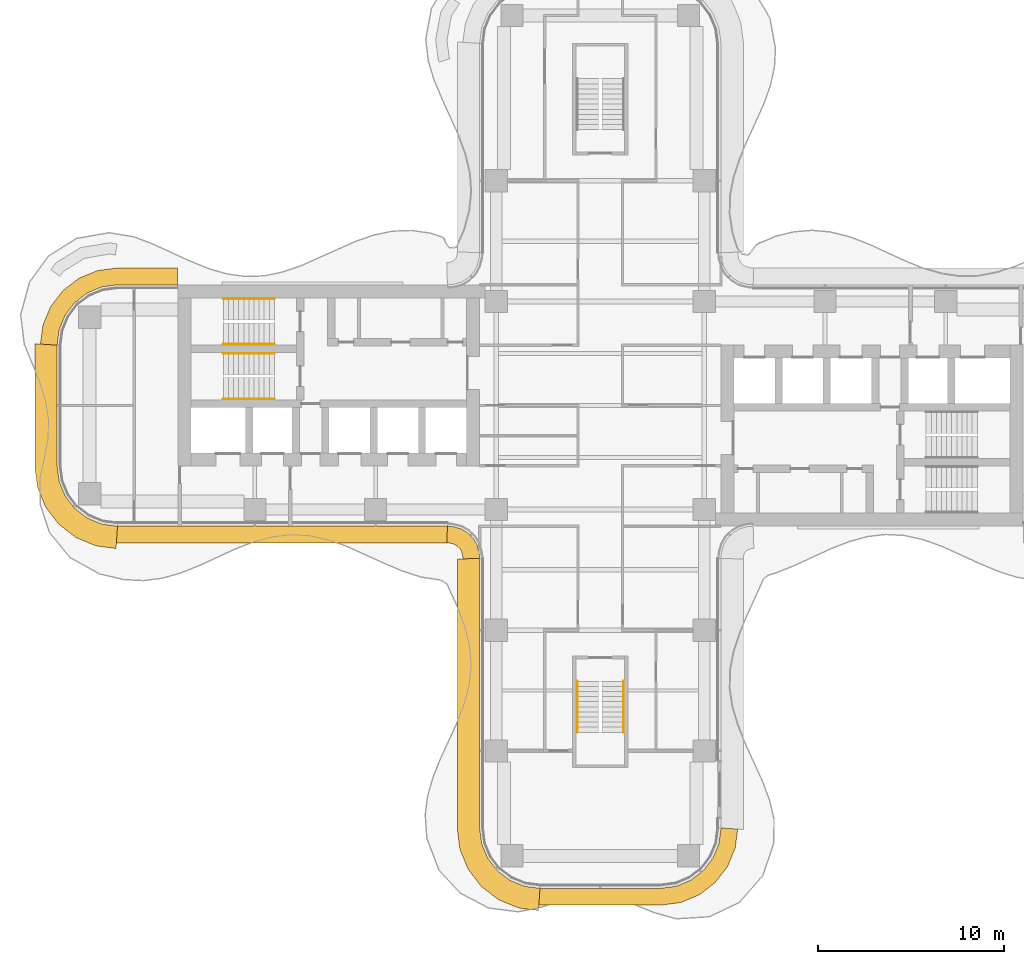
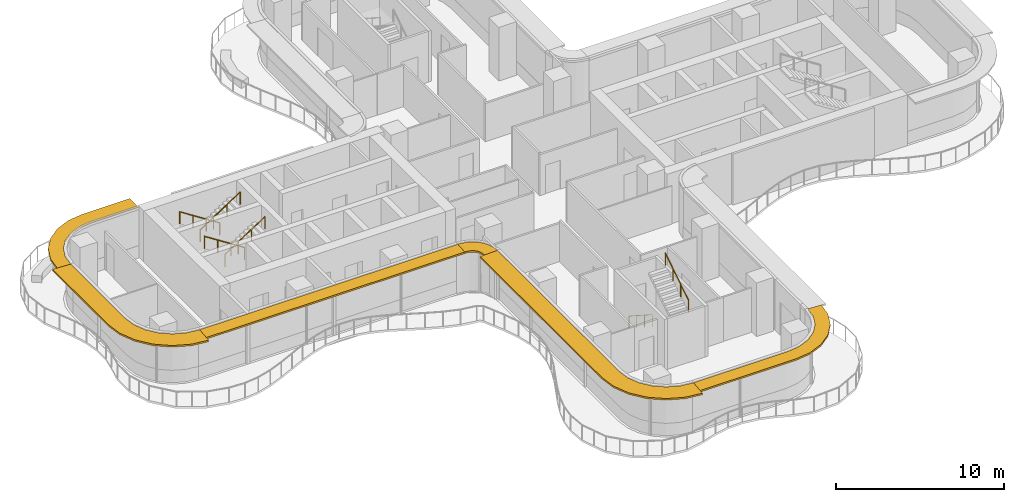
# One storey, part 17 of 18: 6 railings, 6 shading devices.
"""IFC4 building model written with IfcOpenShell, lengths in metres."""

from ifc_helpers import new_model, si_unit, direction, frame, origin, origin_2d, place, context, subcontext, project, spatial, polyline, circle, outline, extrude, source, transform, mapped, material, layer, layer_set, type_object, element, save


model = new_model("IFC4")

# Units and contexts
model_context = context("Model", 3, precision=1e-05, world=origin(), true_north=direction((0.0, 1.0)))
body_context = subcontext(model_context, "Body", "Model", "MODEL_VIEW")
ifc_project = project(units=[si_unit("LENGTHUNIT", "METRE"), si_unit("AREAUNIT", "SQUARE_METRE"), si_unit("VOLUMEUNIT", "CUBIC_METRE"), si_unit("PLANEANGLEUNIT", "RADIAN"), si_unit("MASSUNIT", "GRAM", prefix="KILO")], contexts=[model_context])

# Site, building, storey
site_placement = place(None, origin())
site = spatial("IfcSite", under=ifc_project, at=site_placement, CompositionType="ELEMENT")
building_placement = place(site_placement, origin())
building = spatial("IfcBuilding", under=site, at=building_placement, Name="Trellis Farm Tower", CompositionType="ELEMENT")
storey_placement = place(building_placement, frame((0.0, 0.0, 204.89990234375)))
storey = spatial("IfcBuildingStorey", under=building, at=storey_placement, Name="L45", CompositionType="ELEMENT", Elevation=204.89990234375)

# Railings
ifc_material_1 = material(Name="Stainless steel", Category="steel")
railing_type = type_object("IfcRailingType", Name="STAIR HANDRAIL 900", PredefinedType="HANDRAIL", material=ifc_material_1)
shared_shape_1 = source(origin(), body_context, "Body", "SweptSolid", [
    extrude(circle(Radius=0.02392578125, at=origin_2d()), frame((0.0, 0.0, 0.8759765625), z_axis=(0.0, 0.840503830235, 0.541805602924), x_axis=(-1.0, 0.0, 0.0)), (0.0, 0.0, 1.0), 3.271728515625),
    extrude(circle(Radius=0.02099609375, at=origin_2d()), origin(), (0.0, 0.0, 1.0), 0.851806640625),
    extrude(circle(Radius=0.02099609375, at=origin_2d()), frame((0.0, 0.916748046875, 0.5908203125)), (0.0, 0.0, 1.0), 0.851806640625),
    extrude(circle(Radius=0.02099609375, at=origin_2d()), frame((0.0, 1.833251953125, 1.181884765625)), (0.0, 0.0, 1.0), 0.851806640625),
    extrude(circle(Radius=0.02099609375, at=origin_2d()), frame((0.0, 2.75, 1.772705078125)), (0.0, 0.0, 1.0), 0.851806640625),
])
railing_1_placement = place(storey_placement, frame((1.25, -17.60009765625, 2.12744140625)))
element("IfcRailing", 1, at=railing_1_placement, inside=storey, type_object=railing_type, Name="Stair handrail", PredefinedType="HANDRAIL", context=body_context, shape_type="MappedRepresentation", body=[
    mapped(shared_shape_1, transform((0.0, 0.0, 0.0))),
])
shared_shape_2 = source(origin(), body_context, "Body", "SweptSolid", [
    extrude(circle(Radius=0.02392578125, at=origin_2d()), frame((0.0, 0.0, 0.8759765625), z_axis=(0.0, -0.840503830235, 0.541805602924), x_axis=(1.0, 0.0, 0.0)), (0.0, 0.0, 1.0), 3.271728515625),
    extrude(circle(Radius=0.02099609375, at=origin_2d()), origin(), (0.0, 0.0, 1.0), 0.851806640625),
    extrude(circle(Radius=0.02099609375, at=origin_2d()), frame((0.0, -0.916748046875, 0.5908203125)), (0.0, 0.0, 1.0), 0.851806640625),
    extrude(circle(Radius=0.02099609375, at=origin_2d()), frame((0.0, -1.833251953125, 1.181884765625)), (0.0, 0.0, 1.0), 0.851806640625),
    extrude(circle(Radius=0.02099609375, at=origin_2d()), frame((0.0, -2.75, 1.772705078125)), (0.0, 0.0, 1.0), 0.851806640625),
])
railing_2_placement = place(storey_placement, frame((-1.25, -14.85009765625, 0.177490234375)))
element("IfcRailing", 2, at=railing_2_placement, inside=storey, type_object=railing_type, Name="Stair handrail", PredefinedType="HANDRAIL", context=body_context, shape_type="MappedRepresentation", body=[
    mapped(shared_shape_2, transform((0.0, 0.0, 0.0))),
])
shared_shape_3 = source(origin(), body_context, "Body", "SweptSolid", [
    extrude(circle(Radius=0.02392578125, at=origin_2d()), frame((0.0, 0.0, 0.8759765625), z_axis=(0.840503830235, 0.0, 0.541805602924), x_axis=(0.0, 1.0, 0.0)), (0.0, 0.0, 1.0), 3.271728515625),
    extrude(circle(Radius=0.02099609375, at=origin_2d()), origin(), (0.0, 0.0, 1.0), 0.851806640625),
    extrude(circle(Radius=0.02099609375, at=origin_2d()), frame((0.916748046875, 0.0, 0.5908203125)), (0.0, 0.0, 1.0), 0.851806640625),
    extrude(circle(Radius=0.02099609375, at=origin_2d()), frame((1.833251953125, 0.0, 1.181884765625)), (0.0, 0.0, 1.0), 0.851806640625),
    extrude(circle(Radius=0.02099609375, at=origin_2d()), frame((2.75, 0.0, 1.772705078125)), (0.0, 0.0, 1.0), 0.851806640625),
])
for number, where, name in (
    (3, (-20.300048828125, 3.300048828125, 2.12744140625), "Stair handrail"),
    (4, (-20.300048828125, 0.35009765625, 2.12744140625), "Stair handrail"),
):
    element("IfcRailing", number, at=place(storey_placement, frame(where)), inside=storey, type_object=railing_type, Name=name, PredefinedType="HANDRAIL", context=body_context, shape_type="MappedRepresentation", body=[
        mapped(shared_shape_3, transform((0.0, 0.0, 0.0))),
    ])
shared_shape_4 = source(origin(), body_context, "Body", "SweptSolid", [
    extrude(circle(Radius=0.02392578125, at=origin_2d()), frame((0.0, 0.0, 0.8759765625), z_axis=(-0.840503830235, 0.0, 0.541805602924), x_axis=(0.0, -1.0, 0.0)), (0.0, 0.0, 1.0), 3.271728515625),
    extrude(circle(Radius=0.02099609375, at=origin_2d()), origin(), (0.0, 0.0, 1.0), 0.851806640625),
    extrude(circle(Radius=0.02099609375, at=origin_2d()), frame((-0.916748046875, 0.0, 0.5908203125)), (0.0, 0.0, 1.0), 0.851806640625),
    extrude(circle(Radius=0.02099609375, at=origin_2d()), frame((-1.833251953125, 0.0, 1.181884765625)), (0.0, 0.0, 1.0), 0.851806640625),
    extrude(circle(Radius=0.02099609375, at=origin_2d()), frame((-2.75, 0.0, 1.772705078125)), (0.0, 0.0, 1.0), 0.851806640625),
])
for number, where, name in (
    (5, (-17.550048828125, 5.75, 0.177490234375), "Stair handrail"),
    (6, (-17.550048828125, 2.800048828125, 0.177490234375), "Stair handrail"),
):
    element("IfcRailing", number, at=place(storey_placement, frame(where)), inside=storey, type_object=railing_type, Name=name, PredefinedType="HANDRAIL", context=body_context, shape_type="MappedRepresentation", body=[
        mapped(shared_shape_4, transform((0.0, 0.0, 0.0))),
    ])

# Shading devices
ifc_material_2 = material(Name="Aluminium extrusion 6063-T6", Category="aluminium")
ifc_layer_1 = layer(ifc_material_2, 0.1201171875)
ifc_layer_set_1 = layer_set([ifc_layer_1], Name="SUNSHADE BLADE 900")
shading_device_type_1 = type_object("IfcShadingDeviceType", Name="SUNSHADE BLADE 900", PredefinedType="USERDEFINED", material=ifc_layer_set_1)
shared_shape_5 = source(origin(), body_context, "Body", "SweptSolid", [
    extrude(outline(polyline([(-8.2607421875, -7.39990234375), (-8.107666015625, -7.409912109375), (-8.091552734375, -7.412109375), (-7.85595703125, -7.475341796875), (-7.697021484375, -7.567138671875), (-7.567138671875, -7.697021484375), (-7.475341796875, -7.85595703125), (-7.412109375, -8.091552734375), (-7.409912109375, -8.107666015625), (-7.39990234375, -8.2607421875), (-6.5, -8.2314453125), (-6.513916015625, -8.01953125), (-6.527587890625, -7.91552734375), (-6.63671875, -7.508544921875), (-6.846923828125, -7.144287109375), (-7.144287109375, -6.846923828125), (-7.508544921875, -6.63671875), (-7.91552734375, -6.527587890625), (-8.01953125, -6.513916015625), (-8.2314453125, -6.5), (-8.2607421875, -7.39990234375)])), origin(), (0.0, 0.0, 1.0), 0.1201171875),
])
placement = place(storey_placement, frame((0.0, 0.0, 3.5400390625)))
element("IfcShadingDevice", 7, at=placement, inside=storey, type_object=shading_device_type_1, Name="SD1 002", ObjectType="SUNSHADE", PredefinedType="USERDEFINED", context=body_context, shape_type="MappedRepresentation", body=[
    mapped(shared_shape_5, transform((0.0, 0.0, 0.0))),
])
ifc_layer_2 = layer(ifc_material_2, 0.1201171875)
ifc_layer_set_2 = layer_set([ifc_layer_2], Name="SUNSHADE BLADE 1200")
shading_device_type_2 = type_object("IfcShadingDeviceType", Name="SUNSHADE BLADE 1200", PredefinedType="USERDEFINED", material=ifc_layer_set_2)
shared_shape_6 = source(origin(), body_context, "Body", "SweptSolid", [
    extrude(outline(polyline([(-7.699951171875, -8.270751953125), (-7.699951171875, -22.82861328125), (-7.558349609375, -23.904541015625), (-7.11279296875, -24.980224609375), (-6.404052734375, -25.904052734375), (-5.480224609375, -26.61279296875), (-4.404541015625, -27.058349609375), (-3.32861328125, -27.199951171875), (-3.25, -26.0), (-4.091064453125, -25.88916015625), (-4.875, -25.564697265625), (-5.548095703125, -25.048095703125), (-6.064697265625, -24.375), (-6.38916015625, -23.591064453125), (-6.5, -22.75), (-6.5, -8.2314453125), (-7.699951171875, -8.270751953125)])), origin(), (0.0, 0.0, 1.0), 0.1201171875),
])
element("IfcShadingDevice", 8, at=placement, inside=storey, type_object=shading_device_type_2, Name="SD2 003", ObjectType="SUNSHADE", PredefinedType="USERDEFINED", context=body_context, shape_type="MappedRepresentation", body=[
    mapped(shared_shape_6, transform((0.0, 0.0, 0.0))),
])
shared_shape_7 = source(origin(), body_context, "Body", "SweptSolid", [
    extrude(outline(polyline([(-3.30908203125, -26.89990234375), (3.30908203125, -26.89990234375), (4.326171875, -26.76611328125), (5.328857421875, -26.350830078125), (6.18994140625, -25.68994140625), (6.850830078125, -24.828857421875), (7.26611328125, -23.826171875), (7.39990234375, -22.80908203125), (6.5, -22.75), (6.38916015625, -23.591064453125), (6.064697265625, -24.375), (5.548095703125, -25.048095703125), (4.875, -25.564697265625), (4.091064453125, -25.88916015625), (3.25, -26.0), (-3.25, -26.0), (-3.30908203125, -26.89990234375)])), origin(), (0.0, 0.0, 1.0), 0.1201171875),
])
element("IfcShadingDevice", 9, at=placement, inside=storey, type_object=shading_device_type_1, Name="SD1 004", ObjectType="SUNSHADE", PredefinedType="USERDEFINED", context=body_context, shape_type="MappedRepresentation", body=[
    mapped(shared_shape_7, transform((0.0, 0.0, 0.0))),
])
shared_shape_8 = source(origin(), body_context, "Body", "SweptSolid", [
    extrude(outline(polyline([(-26.05908203125, -7.39990234375), (-8.2607421875, -7.39990234375), (-8.2314453125, -6.5), (-26.0, -6.5), (-26.05908203125, -7.39990234375)])), origin(), (0.0, 0.0, 1.0), 0.1201171875),
])
element("IfcShadingDevice", 10, at=placement, inside=storey, type_object=shading_device_type_1, Name="SD1 001", ObjectType="SUNSHADE", PredefinedType="USERDEFINED", context=body_context, shape_type="MappedRepresentation", body=[
    mapped(shared_shape_8, transform((0.0, 0.0, 0.0))),
])
shared_shape_9 = source(origin(), body_context, "Body", "SweptSolid", [
    extrude(outline(polyline([(-22.780029296875, 7.39990234375), (-26.05908203125, 7.39990234375), (-27.076171875, 7.26611328125), (-28.078857421875, 6.850830078125), (-28.93994140625, 6.18994140625), (-29.600830078125, 5.328857421875), (-30.01611328125, 4.326171875), (-30.14990234375, 3.30908203125), (-29.25, 3.25), (-29.13916015625, 4.091064453125), (-28.814697265625, 4.875), (-28.298095703125, 5.548095703125), (-27.625, 6.064697265625), (-26.841064453125, 6.38916015625), (-26.0, 6.5), (-22.780029296875, 6.5), (-22.780029296875, 7.39990234375)])), origin(), (0.0, 0.0, 1.0), 0.1201171875),
])
element("IfcShadingDevice", 11, at=placement, inside=storey, type_object=shading_device_type_1, Name="SD1 015", ObjectType="SUNSHADE", PredefinedType="USERDEFINED", context=body_context, shape_type="MappedRepresentation", body=[
    mapped(shared_shape_9, transform((0.0, 0.0, 0.0))),
])
shared_shape_10 = source(origin(), body_context, "Body", "SweptSolid", [
    extrude(outline(polyline([(-30.449951171875, 3.32861328125), (-30.449951171875, -3.32861328125), (-30.308349609375, -4.404541015625), (-29.86279296875, -5.480224609375), (-29.154052734375, -6.404052734375), (-28.230224609375, -7.11279296875), (-27.154541015625, -7.558349609375), (-26.07861328125, -7.699951171875), (-26.0, -6.5), (-26.841064453125, -6.38916015625), (-27.625, -6.064697265625), (-28.298095703125, -5.548095703125), (-28.814697265625, -4.875), (-29.13916015625, -4.091064453125), (-29.25, -3.25), (-29.25, 3.25), (-30.449951171875, 3.32861328125)])), origin(), (0.0, 0.0, 1.0), 0.1201171875),
])
element("IfcShadingDevice", 12, at=placement, inside=storey, type_object=shading_device_type_2, Name="SD2 016", ObjectType="SUNSHADE", PredefinedType="USERDEFINED", context=body_context, shape_type="MappedRepresentation", body=[
    mapped(shared_shape_10, transform((0.0, 0.0, 0.0))),
])

save(model, "model.ifc")
